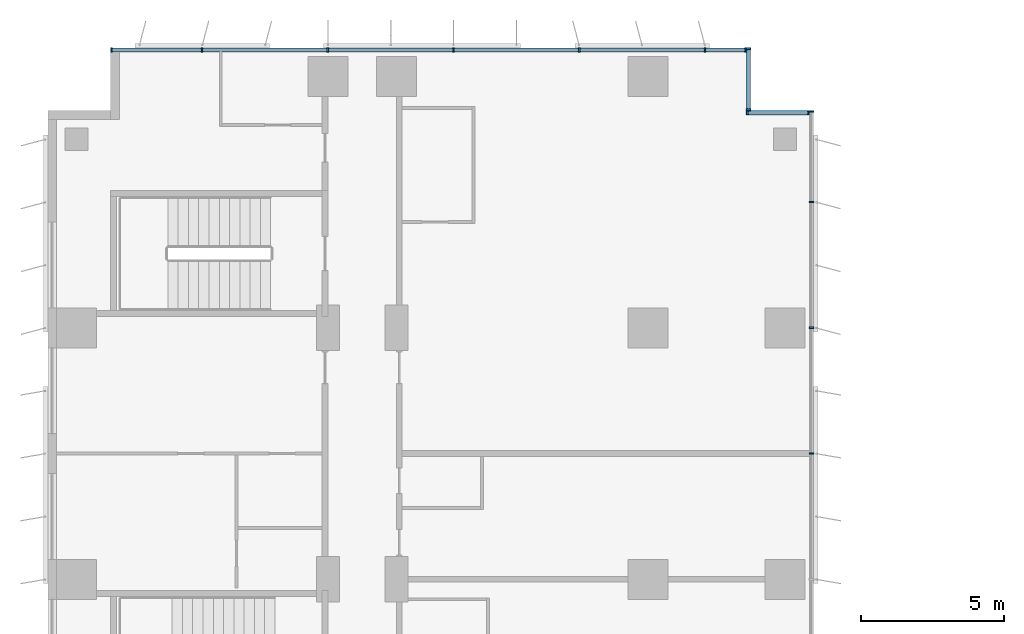
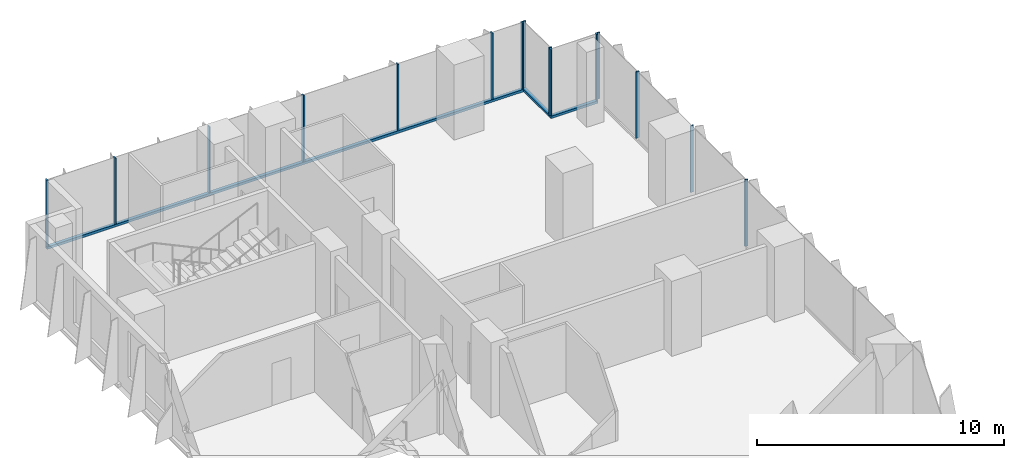
# One storey, part 9 of 24: 18 members, 4 elements without a shape of their own.
"""IFC4 building model written with IfcOpenShell, lengths in metres."""

from ifc_helpers import new_model, si_unit, direction, frame, origin, origin_2d, place, context, subcontext, project, spatial, rectangle, extrude, source, transform, mapped, material, material_profile, profile_set, type_object, element, aggregate, save


model = new_model("IFC4")

# Units and contexts
model_context = context("Model", 3, precision=1e-05, world=origin(), true_north=direction((0.0, 1.0)))
body_context = subcontext(model_context, "Body", "Model", "MODEL_VIEW")
ifc_project = project(units=[si_unit("LENGTHUNIT", "METRE"), si_unit("AREAUNIT", "SQUARE_METRE"), si_unit("VOLUMEUNIT", "CUBIC_METRE"), si_unit("PLANEANGLEUNIT", "RADIAN"), si_unit("MASSUNIT", "GRAM", prefix="KILO")], contexts=[model_context])

# Site, building, storey
site_placement = place(None, origin())
site = spatial("IfcSite", under=ifc_project, at=site_placement, CompositionType="ELEMENT")
building_placement = place(site_placement, origin())
building = spatial("IfcBuilding", under=site, at=building_placement, Name="Kemantara Hotel Tower", CompositionType="ELEMENT")
storey_placement = place(building_placement, frame((0.0, 0.0, 76.0)))
storey = spatial("IfcBuildingStorey", under=building, at=storey_placement, Name="L17", CompositionType="ELEMENT", Elevation=76.0)

# Curtain wall, member
ifc_material_1 = material(Name="Low-E tinted double insulated glass 36 mm", Category="glass")
curtain_wall_type = type_object("IfcCurtainWallType", Name="TOWER CURTAIN WALL, FRONT FACES", PredefinedType="USERDEFINED", material=ifc_material_1)
curtain_wall_1_placement = place(storey_placement, origin())
curtain_wall_1 = element("IfcCurtainWall", 1, at=curtain_wall_1_placement, inside=storey, type_object=curtain_wall_type, Name="CW4 L17 T1-R11-1", ObjectType="TOWER CURTAIN WALL, FRONT FACES", PredefinedType="USERDEFINED")
ifc_material_2 = material(Name="Aluminium 6063-T6 bronze anodised", Category="aluminium")
ifc_material_profile_1 = material_profile(ifc_material_2, rectangle(XDim=0.14990234375, YDim=0.1201171875, at=origin_2d()), Name="TOWER CURTAIN WALL, FRONT FACES TRANSOM")
ifc_profile_set_1 = profile_set([ifc_material_profile_1], Name="Aluminium 6063-T6 bronze anodised")
member_type_1 = type_object("IfcMemberType", Name="TOWER CURTAIN WALL, FRONT FACES TRANSOM", PredefinedType="USERDEFINED", material=ifc_profile_set_1)
member_1_placement = place(storey_placement, frame((24.449951171875, 81.125, 0.06005859375), z_axis=(-1.0, 0.0, 0.0), x_axis=(0.0, -1.0, 0.0)))
member_1 = element("IfcMember", 2, at=member_1_placement, type_object=member_type_1, Name="CW4 sill transom T1-R11-1", ObjectType="TRANSOM", PredefinedType="USERDEFINED", context=body_context, shape_type="SweptSolid", body=[
    extrude(rectangle(XDim=0.14990234375, YDim=0.1201171875, at=origin_2d()), origin(), (0.0, 0.0, 1.0), 22.25),
])

curtain_wall_2_placement = place(storey_placement, origin())
curtain_wall_2 = element("IfcCurtainWall", 3, at=curtain_wall_2_placement, inside=storey, type_object=curtain_wall_type, Name="CW4 L17 T1-R09-1", ObjectType="TOWER CURTAIN WALL, FRONT FACES", PredefinedType="USERDEFINED")
member_2_placement = place(storey_placement, frame((26.64990234375, 78.925048828125, 0.06005859375), z_axis=(-1.0, 0.0, 0.0), x_axis=(0.0, -1.0, 0.0)))
member_2 = element("IfcMember", 4, at=member_2_placement, type_object=member_type_1, Name="CW4 sill transom T1-R09-1", ObjectType="TRANSOM", PredefinedType="USERDEFINED", context=body_context, shape_type="SweptSolid", body=[
    extrude(rectangle(XDim=0.14990234375, YDim=0.1201171875, at=origin_2d()), origin(), (0.0, 0.0, 1.0), 2.199951171875),
])

curtain_wall_3_placement = place(storey_placement, origin())
curtain_wall_3 = element("IfcCurtainWall", 5, at=curtain_wall_3_placement, inside=storey, type_object=curtain_wall_type, Name="CW4 L17 T1-R10-1", ObjectType="TOWER CURTAIN WALL, FRONT FACES", PredefinedType="USERDEFINED")
member_3_placement = place(storey_placement, frame((24.52490234375, 79.0, 0.06005859375), z_axis=(0.0, 1.0, 0.0), x_axis=(-1.0, 0.0, 0.0)))
member_3 = element("IfcMember", 6, at=member_3_placement, type_object=member_type_1, Name="CW4 sill transom T1-R10-1", ObjectType="TRANSOM", PredefinedType="USERDEFINED", context=body_context, shape_type="SweptSolid", body=[
    extrude(rectangle(XDim=0.14990234375, YDim=0.1201171875, at=origin_2d()), origin(), (0.0, 0.0, 1.0), 2.199951171875),
])

# Curtain wall, members
curtain_wall_4_placement = place(storey_placement, origin())
curtain_wall_4 = element("IfcCurtainWall", 7, at=curtain_wall_4_placement, inside=storey, type_object=curtain_wall_type, Name="CW4 L17 T1-R08-1", ObjectType="TOWER CURTAIN WALL, FRONT FACES", PredefinedType="USERDEFINED")
ifc_material_profile_2 = material_profile(ifc_material_2, rectangle(XDim=0.14990234375, YDim=0.06005859375, at=origin_2d()), Name="TOWER CURTAIN WALL, FRONT FACES MULLION")
ifc_profile_set_2 = profile_set([ifc_material_profile_2], Name="Aluminium 6063-T6 bronze anodised")
member_type_2 = type_object("IfcMemberType", Name="TOWER CURTAIN WALL, FRONT FACES MULLION", PredefinedType="MULLION", material=ifc_profile_set_2)
shared_shape = source(origin(), body_context, "Body", "SweptSolid", [
    extrude(rectangle(XDim=0.14990234375, YDim=0.06005859375, at=origin_2d()), origin(), (0.0, 0.0, 1.0), 3.27978515625),
])
member_4_placement = place(storey_placement, frame((26.72509765625, 67.0, 0.1201171875), z_axis=(0.0, 0.0, 1.0), x_axis=(-1.0, 0.0, 0.0)))
member_4 = element("IfcMember", 8, at=member_4_placement, type_object=member_type_2, Name="CW4 mullion T1-R08-1.11", PredefinedType="MULLION", context=body_context, shape_type="MappedRepresentation", body=[
    mapped(shared_shape, transform((0.0, 0.0, 0.0))),
])
member_5_placement = place(storey_placement, frame((26.72509765625, 71.39990234375, 0.1201171875), z_axis=(0.0, 0.0, 1.0), x_axis=(-1.0, 0.0, 0.0)))
member_5 = element("IfcMember", 9, at=member_5_placement, type_object=member_type_2, Name="CW4 mullion T1-R08-1.12", PredefinedType="MULLION", context=body_context, shape_type="MappedRepresentation", body=[
    mapped(shared_shape, transform((0.0, 0.0, 0.0))),
])
member_6_placement = place(storey_placement, frame((26.72509765625, 75.800048828125, 0.1201171875), z_axis=(0.0, 0.0, 1.0), x_axis=(-1.0, 0.0, 0.0)))
member_6 = element("IfcMember", 10, at=member_6_placement, type_object=member_type_2, Name="CW4 mullion T1-R08-1.13", PredefinedType="MULLION", context=body_context, shape_type="MappedRepresentation", body=[
    mapped(shared_shape, transform((0.0, 0.0, 0.0))),
])
member_7_placement = place(storey_placement, frame((26.72509765625, 78.969970703125, 0.1201171875), z_axis=(0.0, 0.0, 1.0), x_axis=(-1.0, 0.0, 0.0)))
member_7 = element("IfcMember", 11, at=member_7_placement, type_object=member_type_2, Name="CW4 mullion T1-R08-1.14", PredefinedType="MULLION", context=body_context, shape_type="MappedRepresentation", body=[
    mapped(shared_shape, transform((0.0, 0.0, 0.0))),
])
aggregate(curtain_wall_4, [member_4, member_5, member_6, member_7])

# Member
member_8_placement = place(storey_placement, frame((24.419921875, 81.125, 0.1201171875), z_axis=(0.0, 0.0, 1.0), x_axis=(0.0, -1.0, 0.0)))
member_8 = element("IfcMember", 12, at=member_8_placement, type_object=member_type_2, Name="CW4 mullion T1-R11-1.1", PredefinedType="MULLION", context=body_context, shape_type="MappedRepresentation", body=[
    mapped(shared_shape, transform((0.0, 0.0, 0.0))),
])

member_9_placement = place(storey_placement, frame((23.0, 81.125, 0.1201171875), z_axis=(0.0, 0.0, 1.0), x_axis=(0.0, -1.0, 0.0)))
member_9 = element("IfcMember", 13, at=member_9_placement, type_object=member_type_2, Name="CW4 mullion T1-R11-1.2", PredefinedType="MULLION", context=body_context, shape_type="MappedRepresentation", body=[
    mapped(shared_shape, transform((0.0, 0.0, 0.0))),
])

member_10_placement = place(storey_placement, frame((18.60009765625, 81.125, 0.1201171875), z_axis=(0.0, 0.0, 1.0), x_axis=(0.0, -1.0, 0.0)))
member_10 = element("IfcMember", 14, at=member_10_placement, type_object=member_type_2, Name="CW4 mullion T1-R11-1.3", PredefinedType="MULLION", context=body_context, shape_type="MappedRepresentation", body=[
    mapped(shared_shape, transform((0.0, 0.0, 0.0))),
])

member_11_placement = place(storey_placement, frame((14.199951171875, 81.125, 0.1201171875), z_axis=(0.0, 0.0, 1.0), x_axis=(0.0, -1.0, 0.0)))
member_11 = element("IfcMember", 15, at=member_11_placement, type_object=member_type_2, Name="CW4 mullion T1-R11-1.4", PredefinedType="MULLION", context=body_context, shape_type="MappedRepresentation", body=[
    mapped(shared_shape, transform((0.0, 0.0, 0.0))),
])

member_12_placement = place(storey_placement, frame((9.800048828125, 81.125, 0.1201171875), z_axis=(0.0, 0.0, 1.0), x_axis=(0.0, -1.0, 0.0)))
member_12 = element("IfcMember", 16, at=member_12_placement, type_object=member_type_2, Name="CW4 mullion T1-R11-1.5", PredefinedType="MULLION", context=body_context, shape_type="MappedRepresentation", body=[
    mapped(shared_shape, transform((0.0, 0.0, 0.0))),
])

member_13_placement = place(storey_placement, frame((5.39990234375, 81.125, 0.1201171875), z_axis=(0.0, 0.0, 1.0), x_axis=(0.0, -1.0, 0.0)))
member_13 = element("IfcMember", 17, at=member_13_placement, type_object=member_type_2, Name="CW4 mullion T1-R11-1.6", PredefinedType="MULLION", context=body_context, shape_type="MappedRepresentation", body=[
    mapped(shared_shape, transform((0.0, 0.0, 0.0))),
])

member_14_placement = place(storey_placement, frame((2.22998046875, 81.125, 0.1201171875), z_axis=(0.0, 0.0, 1.0), x_axis=(0.0, -1.0, 0.0)))
member_14 = element("IfcMember", 18, at=member_14_placement, type_object=member_type_2, Name="CW4 mullion T1-R11-1.7", PredefinedType="MULLION", context=body_context, shape_type="MappedRepresentation", body=[
    mapped(shared_shape, transform((0.0, 0.0, 0.0))),
])

aggregate(curtain_wall_1, [member_1, member_8, member_9, member_10, member_11, member_12, member_13, member_14])

member_15_placement = place(storey_placement, frame((26.6201171875, 78.925048828125, 0.1201171875), z_axis=(0.0, 0.0, 1.0), x_axis=(0.0, -1.0, 0.0)))
member_15 = element("IfcMember", 19, at=member_15_placement, type_object=member_type_2, Name="CW4 mullion T1-R09-1.1", PredefinedType="MULLION", context=body_context, shape_type="MappedRepresentation", body=[
    mapped(shared_shape, transform((0.0, 0.0, 0.0))),
])

member_16_placement = place(storey_placement, frame((24.47998046875, 78.925048828125, 0.1201171875), z_axis=(0.0, 0.0, 1.0), x_axis=(0.0, -1.0, 0.0)))
member_16 = element("IfcMember", 20, at=member_16_placement, type_object=member_type_2, Name="CW4 mullion T1-R09-1.2", PredefinedType="MULLION", context=body_context, shape_type="MappedRepresentation", body=[
    mapped(shared_shape, transform((0.0, 0.0, 0.0))),
])

aggregate(curtain_wall_2, [member_2, member_15, member_16])

member_17_placement = place(storey_placement, frame((24.52490234375, 79.030029296875, 0.1201171875), z_axis=(0.0, 0.0, 1.0), x_axis=(-1.0, 0.0, 0.0)))
member_17 = element("IfcMember", 21, at=member_17_placement, type_object=member_type_2, Name="CW4 mullion T1-R10-1.1", PredefinedType="MULLION", context=body_context, shape_type="MappedRepresentation", body=[
    mapped(shared_shape, transform((0.0, 0.0, 0.0))),
])

member_18_placement = place(storey_placement, frame((24.52490234375, 81.169921875, 0.1201171875), z_axis=(0.0, 0.0, 1.0), x_axis=(-1.0, 0.0, 0.0)))
member_18 = element("IfcMember", 22, at=member_18_placement, type_object=member_type_2, Name="CW4 mullion T1-R10-1.2", PredefinedType="MULLION", context=body_context, shape_type="MappedRepresentation", body=[
    mapped(shared_shape, transform((0.0, 0.0, 0.0))),
])

aggregate(curtain_wall_3, [member_3, member_17, member_18])

save(model, "model.ifc")
